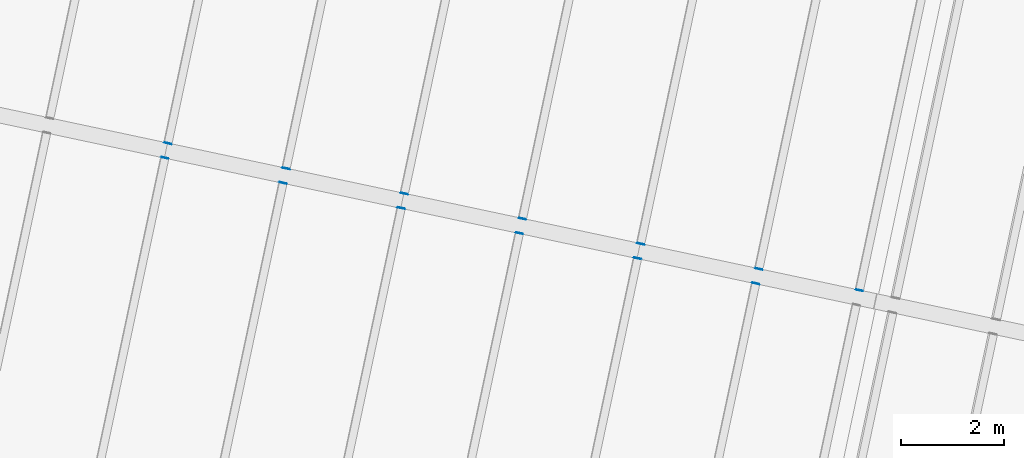
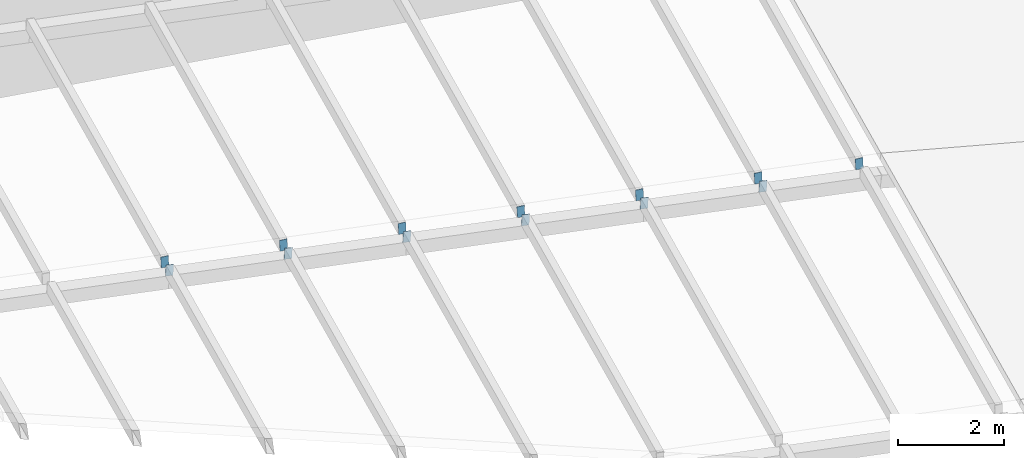
# One storey, part 168 of 196: 13 discrete accessories.
"""IFC4 building model written with IfcOpenShell, lengths in metres."""

from ifc_helpers import new_model, si_unit, direction, frame, origin, origin_2d, place, context, subcontext, project, spatial, rectangle, extrude, material, layer, layer_set, type_object, element, save


model = new_model("IFC4")

# Units and contexts
model_context = context("Model", 3, precision=1e-05, world=origin(), true_north=direction((0.0, 1.0)))
body_context = subcontext(model_context, "Body", "Model", "MODEL_VIEW")
ifc_project = project(units=[si_unit("LENGTHUNIT", "METRE"), si_unit("AREAUNIT", "SQUARE_METRE"), si_unit("VOLUMEUNIT", "CUBIC_METRE"), si_unit("PLANEANGLEUNIT", "RADIAN"), si_unit("MASSUNIT", "GRAM", prefix="KILO")], contexts=[model_context])

# Site, building, storey
site_placement = place(None, origin())
site = spatial("IfcSite", under=ifc_project, at=site_placement, CompositionType="ELEMENT")
building_placement = place(site_placement, origin())
building = spatial("IfcBuilding", under=site, at=building_placement, Name="Okhra Congress Centre", CompositionType="ELEMENT")
storey_placement = place(building_placement, frame((0.0, 0.0, 12.0)))
storey = spatial("IfcBuildingStorey", under=building, at=storey_placement, Name="L02", CompositionType="ELEMENT", Elevation=12.0)

# Discrete accessories
ifc_material = material(Name="Steel S355J2", Category="steel")
ifc_layer = layer(ifc_material, 0.011962890625)
ifc_layer_set = layer_set([ifc_layer], Name="Hollow section end cap 12 mm S355")
discrete_accessory_type = type_object("IfcDiscreteAccessoryType", Name="Hollow section end cap 12 mm S355", PredefinedType="BRACKET", material=ifc_layer_set)
for number, where, z_axis, x_axis, name in (
    (1, (229.988037109375, 123.8955078125, 2.971923828125), (0.203954254112, 0.978980419738, 0.0), (-0.977638761096, 0.203674741895, 0.052335956243), "Hollow section end cap"),
    (2, (232.28662109375, 123.406982421875, 2.848876953125), (0.223376156329, 0.974732318528, 0.0), (-0.973396481762, 0.22307002707, 0.052335956243), "Hollow section end cap"),
    (3, (234.58544921875, 122.91845703125, 2.7255859375), (0.203954254112, 0.978980419738, 0.0), (-0.977638761096, 0.203674741895, 0.052335956243), "Hollow section end cap"),
    (4, (236.884033203125, 122.429931640625, 2.6025390625), (0.203954254112, 0.978980419738, 0.0), (-0.977638761096, 0.203674741895, 0.052335956243), "Hollow section end cap"),
    (5, (239.1826171875, 121.941162109375, 2.479248046875), (0.203954254112, 0.978980419738, 0.0), (-0.977638761096, 0.203674741895, 0.052335956243), "Hollow section end cap"),
    (6, (241.481201171875, 121.45263671875, 2.356201171875), (0.223376156329, 0.974732318528, 0.0), (-0.973396481762, 0.22307002707, 0.052335956243), "Hollow section end cap"),
    (7, (230.050537109375, 124.18896484375, 2.971923828125), (-0.223376156329, -0.974732318528, 0.0), (0.973396481762, -0.22307002707, 0.052335956243), "Hollow section end cap"),
    (8, (232.34912109375, 123.700439453125, 2.848876953125), (-0.203954254112, -0.978980419738, 0.0), (0.977638761096, -0.203674741895, 0.052335956243), "Hollow section end cap"),
    (9, (234.647705078125, 123.2119140625, 2.7255859375), (-0.203954254112, -0.978980419738, 0.0), (0.977638761096, -0.203674741895, 0.052335956243), "Hollow section end cap"),
):
    element("IfcDiscreteAccessory", number, at=place(storey_placement, frame(where, z_axis=z_axis, x_axis=x_axis)), inside=storey, type_object=discrete_accessory_type, Name=name, PredefinedType="BRACKET", context=body_context, shape_type="SweptSolid", body=[
        extrude(rectangle(XDim=0.14990234375, YDim=0.25, at=origin_2d()), origin(), (0.0, 0.0, 1.0), 0.011962890625),
    ])
discrete_accessory_placement = place(storey_placement, frame((236.9462890625, 122.723388671875, 2.6025390625), z_axis=(-0.199960011996, -0.97980405878, 0.0), x_axis=(0.978461271371, -0.199685973749, 0.052335956243)))
element("IfcDiscreteAccessory", 10, at=discrete_accessory_placement, inside=storey, type_object=discrete_accessory_type, Name="Hollow section end cap", PredefinedType="BRACKET", context=body_context, shape_type="SweptSolid", body=[
    extrude(rectangle(XDim=0.14990234375, YDim=0.25, at=origin_2d()), origin(), (0.0, 0.0, 1.0), 0.01220703125),
])
for number, where, z_axis, x_axis, name in (
    (11, (239.2451171875, 122.234619140625, 2.479248046875), (-0.223376156329, -0.974732318528, 0.0), (0.973396481762, -0.22307002707, 0.052335956243), "Hollow section end cap"),
    (12, (241.543701171875, 121.74609375, 2.356201171875), (-0.203954254112, -0.978980419738, 0.0), (0.977638761096, -0.203674741895, 0.052335956243), "Hollow section end cap"),
    (13, (243.5, 121.330322265625, 2.251220703125), (-0.203954254112, -0.978980419738, 0.0), (0.977638761096, -0.203674741895, 0.052335956243), "Hollow section end cap"),
):
    element("IfcDiscreteAccessory", number, at=place(storey_placement, frame(where, z_axis=z_axis, x_axis=x_axis)), inside=storey, type_object=discrete_accessory_type, Name=name, PredefinedType="BRACKET", context=body_context, shape_type="SweptSolid", body=[
        extrude(rectangle(XDim=0.14990234375, YDim=0.25, at=origin_2d()), origin(), (0.0, 0.0, 1.0), 0.011962890625),
    ])

save(model, "model.ifc")
